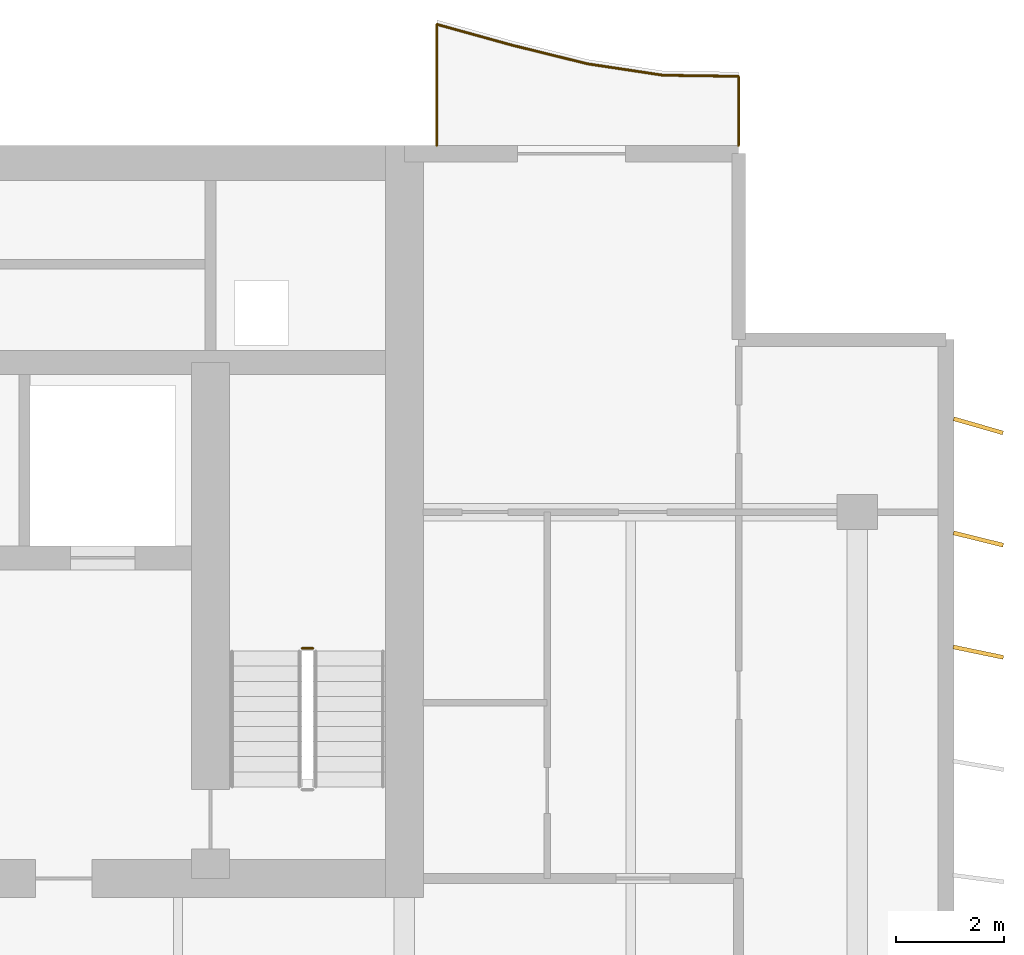
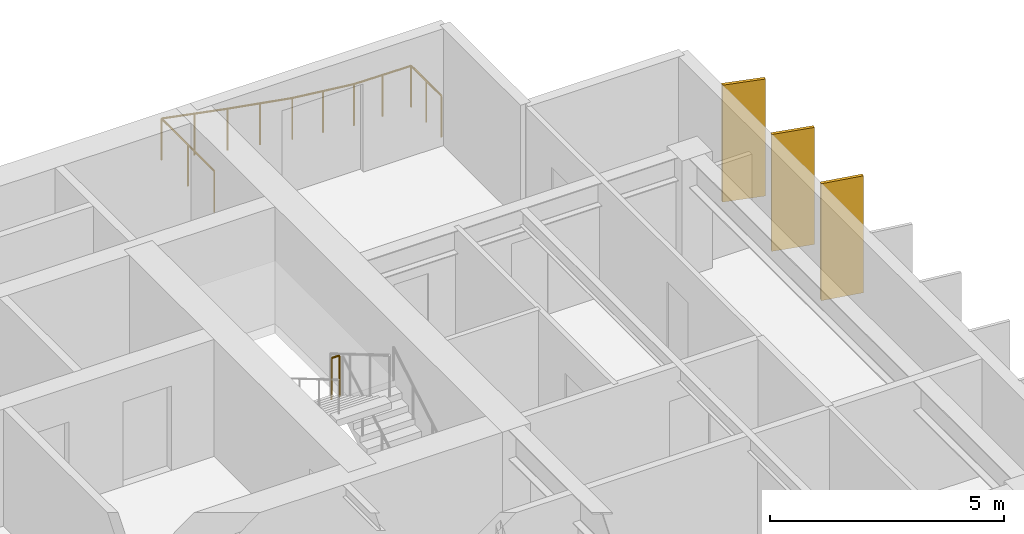
# One storey, part 16 of 16: 3 shading devices, 2 railings.
"""IFC4 building model written with IfcOpenShell, lengths in metres."""

from ifc_helpers import new_model, si_unit, direction, frame, origin, origin_2d, place, context, subcontext, project, spatial, rectangle, circle, extrude, material, material_profile, profile_set, type_object, element, save


model = new_model("IFC4")

# Units and contexts
model_context = context("Model", 3, precision=1e-05, world=origin(), true_north=direction((0.0, 1.0)))
body_context = subcontext(model_context, "Body", "Model", "MODEL_VIEW")
ifc_project = project(units=[si_unit("LENGTHUNIT", "METRE"), si_unit("AREAUNIT", "SQUARE_METRE"), si_unit("VOLUMEUNIT", "CUBIC_METRE"), si_unit("PLANEANGLEUNIT", "RADIAN"), si_unit("MASSUNIT", "GRAM", prefix="KILO")], contexts=[model_context])

# Site, building, storey
site_placement = place(None, origin())
site = spatial("IfcSite", under=ifc_project, at=site_placement, CompositionType="ELEMENT")
building_placement = place(site_placement, origin())
building = spatial("IfcBuilding", under=site, at=building_placement, Name="Caelmar Bay Residences", CompositionType="ELEMENT")
storey_placement = place(building_placement, frame((0.0, 0.0, 239.699951171875)))
storey = spatial("IfcBuildingStorey", under=building, at=storey_placement, Name="L67", CompositionType="ELEMENT", Elevation=239.699951171875)

# Railings
ifc_material_1 = material(Name="Anodised bronze handrail with laminated hurricane glass infill", Category="glass")
railing_type_1 = type_object("IfcRailingType", Name="RL-BAL-1100", PredefinedType="BALUSTRADE", material=ifc_material_1)
railing_1_placement = place(storey_placement, frame((65.699951171875, 50.60009765625, 0.0)))
element("IfcRailing", 1, at=railing_1_placement, inside=storey, type_object=railing_type_1, Name="L67 north_east Balcony Balustrade", PredefinedType="BALUSTRADE", context=body_context, shape_type="SweptSolid", body=[
    extrude(circle(Radius=0.02392578125, at=origin_2d()), frame((0.0, 0.0, 1.076171875), z_axis=(0.0, 1.0, 0.0), x_axis=(-1.0, 0.0, 0.0)), (0.0, 0.0, 1.0), 1.286376953125),
    extrude(circle(Radius=0.02392578125, at=origin_2d()), frame((0.0, 1.286376953125, 1.076171875), z_axis=(-0.999895252764, 0.014473544817, 0.0), x_axis=(-0.014473544817, -0.999895252764, 0.0)), (0.0, 0.0, 1.0), 1.400146484375),
    extrude(circle(Radius=0.02392578125, at=origin_2d()), frame((-1.39990234375, 1.306640625, 1.076171875), z_axis=(-0.988790443359, 0.149309943147, 0.0), x_axis=(-0.149309943147, -0.988790443359, 0.0)), (0.0, 0.0, 1.0), 1.416015625),
    extrude(circle(Radius=0.02392578125, at=origin_2d()), frame((-2.800048828125, 1.51806640625, 1.076171875), z_axis=(-0.970796240082, 0.239905523578, 0.0), x_axis=(-0.239905523578, -0.970796240082, 0.0)), (0.0, 0.0, 1.0), 1.44189453125),
    extrude(circle(Radius=0.02392578125, at=origin_2d()), frame((-4.199951171875, 1.864013671875, 1.076171875), z_axis=(-0.963724701315, 0.266898295376, 0.0), x_axis=(-0.266898295376, -0.963724701315, 0.0)), (0.0, 0.0, 1.0), 1.45263671875),
    extrude(circle(Radius=0.02392578125, at=origin_2d()), frame((-5.599853515625, 2.251708984375, 1.076171875), z_axis=(0.0, -1.0, 0.0), x_axis=(1.0, 0.0, 0.0)), (0.0, 0.0, 1.0), 2.251708984375),
    extrude(circle(Radius=0.02099609375, at=origin_2d()), origin(), (0.0, 0.0, 1.0), 1.052001953125),
    extrude(circle(Radius=0.02099609375, at=origin_2d()), frame((0.0, 0.64306640625, 0.0)), (0.0, 0.0, 1.0), 1.052001953125),
    extrude(circle(Radius=0.02099609375, at=origin_2d()), frame((0.0, 1.286376953125, 0.0)), (0.0, 0.0, 1.0), 1.052001953125),
    extrude(circle(Radius=0.02099609375, at=origin_2d()), frame((-0.699951171875, 1.29638671875, 0.0)), (0.0, 0.0, 1.0), 1.052001953125),
    extrude(circle(Radius=0.02099609375, at=origin_2d()), frame((-1.39990234375, 1.306640625, 0.0)), (0.0, 0.0, 1.0), 1.052001953125),
    extrude(circle(Radius=0.02099609375, at=origin_2d()), frame((-2.10009765625, 1.412353515625, 0.0)), (0.0, 0.0, 1.0), 1.052001953125),
    extrude(circle(Radius=0.02099609375, at=origin_2d()), frame((-2.800048828125, 1.51806640625, 0.0)), (0.0, 0.0, 1.0), 1.052001953125),
    extrude(circle(Radius=0.02099609375, at=origin_2d()), frame((-3.5, 1.69091796875, 0.0)), (0.0, 0.0, 1.0), 1.052001953125),
    extrude(circle(Radius=0.02099609375, at=origin_2d()), frame((-4.199951171875, 1.864013671875, 0.0)), (0.0, 0.0, 1.0), 1.052001953125),
    extrude(circle(Radius=0.02099609375, at=origin_2d()), frame((-4.89990234375, 2.057861328125, 0.0)), (0.0, 0.0, 1.0), 1.052001953125),
    extrude(circle(Radius=0.02099609375, at=origin_2d()), frame((-5.599853515625, 2.251708984375, 0.0)), (0.0, 0.0, 1.0), 1.052001953125),
    extrude(circle(Radius=0.02099609375, at=origin_2d()), frame((-5.599853515625, 1.1259765625, 0.0)), (0.0, 0.0, 1.0), 1.052001953125),
    extrude(circle(Radius=0.02099609375, at=origin_2d()), frame((-5.599853515625, 0.0, 0.0)), (0.0, 0.0, 1.0), 1.052001953125),
])
ifc_material_2 = material(Name="Painted galvanized steel stair guard 1100 mm", Category="steel")
railing_type_2 = type_object("IfcRailingType", Name="RL-GRD-1100", PredefinedType="GUARDRAIL", material=ifc_material_2)
railing_2_placement = place(storey_placement, frame((57.800048828125, 41.27001953125, 1.650146484375)))
element("IfcRailing", 2, at=railing_2_placement, inside=storey, type_object=railing_type_2, Name="L67 ST2 stair guard 2", PredefinedType="GUARDRAIL", context=body_context, shape_type="SweptSolid", body=[
    extrude(circle(Radius=0.02392578125, at=origin_2d()), frame((0.0, 0.0, 1.076171875), z_axis=(-1.0, 0.0, 0.0), x_axis=(0.0, -1.0, 0.0)), (0.0, 0.0, 1.0), 0.199951171875),
    extrude(circle(Radius=0.02099609375, at=origin_2d()), origin(), (0.0, 0.0, 1.0), 1.052001953125),
    extrude(circle(Radius=0.02099609375, at=origin_2d()), frame((-0.199951171875, 0.0, 0.0)), (0.0, 0.0, 1.0), 1.052001953125),
])

# Shading devices
ifc_material_3 = material(Name="Anodised architectural bronze aluminium 6063-T6", Category="aluminium")
ifc_material_profile = material_profile(ifc_material_3, rectangle(XDim=0.074951171875, YDim=0.949951171875, at=origin_2d()), Name="BRONZE-FIN-75X950")
ifc_profile_set = profile_set([ifc_material_profile], Name="Anodised architectural bronze aluminium 6063-T6")
shading_device_type = type_object("IfcShadingDeviceType", Name="SHD-FIN-950", PredefinedType="USERDEFINED", material=ifc_profile_set)
for number, where, z_axis, x_axis, name in (
    (3, (70.14990234375, 41.199951171875, 0.0), (0.0, 0.0, 1.0), (0.2032999874, 0.979116497217, 0.0), "L67 East Bronze Solar Fin 14"),
    (4, (70.14990234375, 43.300048828125, 0.0), (0.0, 0.0, 1.0), (0.239719743609, 0.970842131618, 0.0), "L67 East Bronze Solar Fin 15"),
    (5, (70.14990234375, 45.39990234375, 0.0), (0.0, 0.0, 1.0), (0.275637355817, 0.961261695938, 0.0), "L67 East Bronze Solar Fin 16"),
):
    element("IfcShadingDevice", number, at=place(storey_placement, frame(where, z_axis=z_axis, x_axis=x_axis)), inside=storey, type_object=shading_device_type, Name=name, ObjectType="FIN", PredefinedType="USERDEFINED", context=body_context, shape_type="SweptSolid", body=[
        extrude(rectangle(XDim=0.074951171875, YDim=0.949951171875, at=origin_2d()), origin(), (0.0, 0.0, 1.0), 3.050048828125),
    ])

save(model, "model.ifc")
